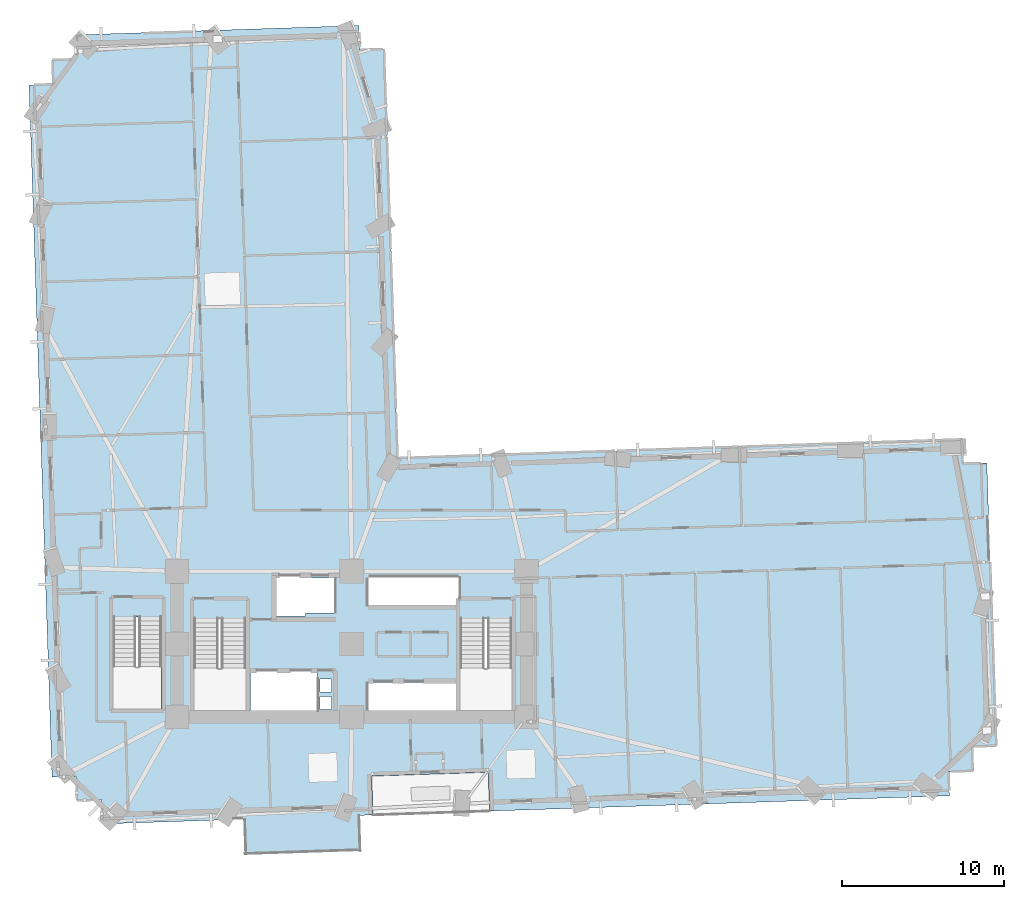
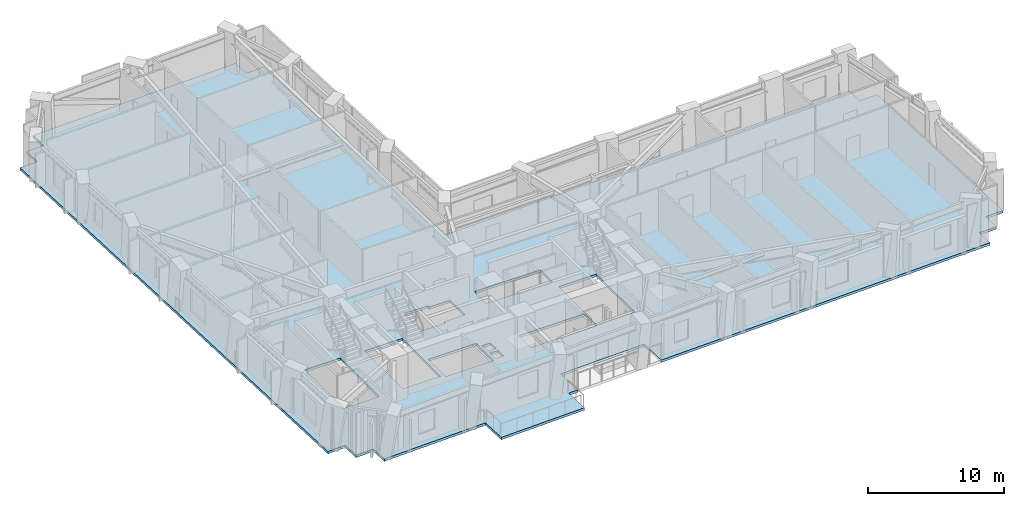
# One storey, part 4 of 14: 1 slab.
"""IFC4 building model written with IfcOpenShell, lengths in metres."""

from ifc_helpers import new_model, si_unit, direction, frame, origin, place, context, subcontext, project, spatial, polyline, outline, extrude, material, layer, layer_set, type_object, element, save


model = new_model("IFC4")

# Units and contexts
model_context = context("Model", 3, precision=1e-05, world=origin(), true_north=direction((0.0, 1.0)))
body_context = subcontext(model_context, "Body", "Model", "MODEL_VIEW")
ifc_project = project(units=[si_unit("LENGTHUNIT", "METRE"), si_unit("AREAUNIT", "SQUARE_METRE"), si_unit("VOLUMEUNIT", "CUBIC_METRE"), si_unit("PLANEANGLEUNIT", "RADIAN"), si_unit("MASSUNIT", "GRAM", prefix="KILO")], contexts=[model_context])

# Site, building, storey
site_placement = place(None, origin())
site = spatial("IfcSite", under=ifc_project, at=site_placement, CompositionType="ELEMENT")
building_placement = place(site_placement, origin())
building = spatial("IfcBuilding", under=site, at=building_placement, Name="Gaonmaruhae Medical Tower", CompositionType="ELEMENT")
storey_placement = place(building_placement, frame((0.0, 0.0, 31.0)))
storey = spatial("IfcBuildingStorey", under=building, at=storey_placement, Name="L06", CompositionType="ELEMENT", Elevation=31.0)

# Slab
ifc_material = material(Name="Concrete C40/50", Category="concrete")
ifc_layer = layer(ifc_material, 0.219970703125)
ifc_layer_set = layer_set([ifc_layer], Name="Concrete C40/50")
slab_type = type_object("IfcSlabType", Name="FS-220 Clinical Ward Composite Floor Slab", PredefinedType="FLOOR", material=ifc_layer_set)
slab_placement = place(storey_placement, frame((0.0, 0.0, -0.219970703125)))
element("IfcSlab", 1, at=slab_placement, inside=storey, type_object=slab_type, Name="L06 Structural Slab 1", PredefinedType="FLOOR", context=body_context, shape_type="SweptSolid", body=[
    extrude(outline(polyline([(9.31982421875, 2.682861328125), (7.82080078125, 2.633056640625), (7.77099609375, 4.13232421875), (6.27197265625, 4.08251953125), (4.852783203125, 46.85888671875), (6.35205078125, 46.90869140625), (6.30224609375, 48.407958984375), (7.801513671875, 48.457763671875), (7.751708984375, 49.956787109375), (25.2421875, 50.537109375), (25.291748046875, 49.037841796875), (26.791015625, 49.087646484375), (27.6298828125, 23.801513671875), (62.510498046875, 24.95849609375), (62.560302734375, 23.45947265625), (64.0595703125, 23.50927734375), (64.639892578125, 6.018798828125), (63.140625, 5.968994140625), (63.190185546875, 4.469970703125), (61.691162109375, 4.420166015625), (61.740966796875, 2.9208984375), (33.314453125, 1.97802734375), (33.23486328125, 4.376708984375), (26.038818359375, 4.137939453125), (26.118408203125, 1.7392578125), (25.31884765625, 1.712646484375), (25.391845703125, -0.486083984375), (18.19580078125, -0.724853515625), (18.122802734375, 1.47412109375), (9.36962890625, 1.18359375), (9.31982421875, 2.682861328125)]), holes=[polyline([(23.550048828125, 8.25), (22.85009765625, 8.25), (22.85009765625, 9.050048828125), (23.550048828125, 9.050048828125), (23.550048828125, 8.25)]), polyline([(25.824951171875, 9.925048828125), (31.425048828125, 9.925048828125), (31.425048828125, 8.175048828125), (25.824951171875, 8.175048828125), (25.824951171875, 9.925048828125)]), polyline([(22.64990234375, 10.625), (22.64990234375, 8.074951171875), (18.550048828125, 8.074951171875), (18.550048828125, 10.625), (22.64990234375, 10.625)]), polyline([(23.550048828125, 9.35009765625), (22.85009765625, 9.35009765625), (22.85009765625, 10.14990234375), (23.550048828125, 10.14990234375), (23.550048828125, 9.35009765625)]), polyline([(15.050048828125, 13.889892578125), (18.25, 13.889892578125), (18.25, 8.300048828125), (15.050048828125, 8.300048828125), (15.050048828125, 13.889892578125)]), polyline([(31.5, 13.889892578125), (34.699951171875, 13.889892578125), (34.699951171875, 8.300048828125), (31.5, 8.300048828125), (31.5, 13.889892578125)]), polyline([(10.050048828125, 13.989990234375), (13.050048828125, 13.989990234375), (13.050048828125, 8.300048828125), (10.050048828125, 8.300048828125), (10.050048828125, 13.989990234375)]), polyline([(21.949951171875, 14.02490234375), (19.949951171875, 14.02490234375), (19.949951171875, 16.574951171875), (21.949951171875, 16.574951171875), (21.949951171875, 16.375), (23.72509765625, 16.375), (23.72509765625, 14.22509765625), (21.949951171875, 14.22509765625), (21.949951171875, 14.02490234375)]), polyline([(31.425048828125, 16.425048828125), (31.425048828125, 14.675048828125), (25.824951171875, 14.675048828125), (25.824951171875, 16.425048828125), (31.425048828125, 16.425048828125)])]), origin(), (0.0, 0.0, 1.0), 0.219970703125),
])

save(model, "model.ifc")
